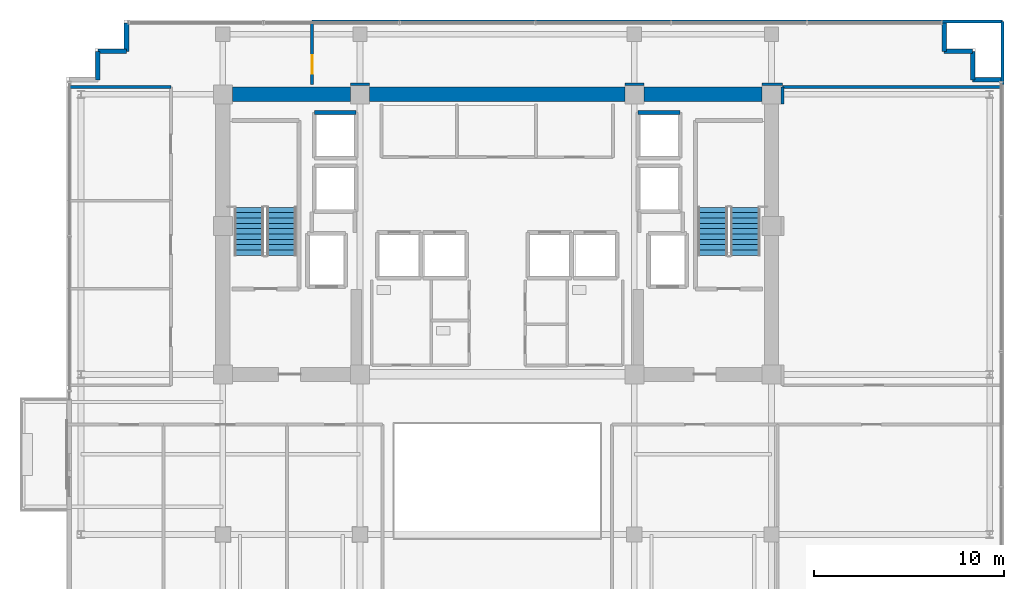
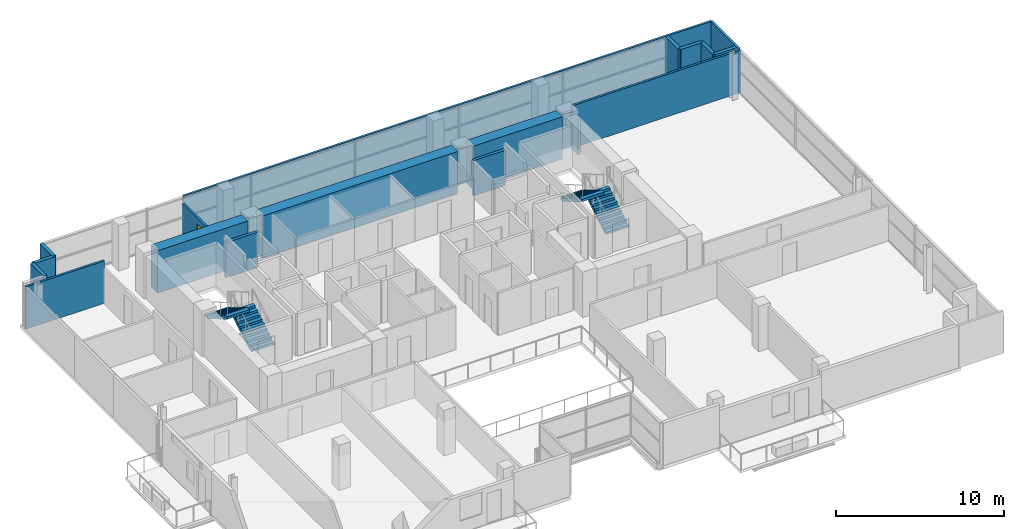
# One storey, part 18 of 22: 21 walls, 4 stair flights, 1 door, 1 opening, 2 elements without a shape of their own.
"""IFC4 building model written with IfcOpenShell, lengths in metres."""

from ifc_helpers import new_model, si_unit, direction, frame, frame_2d, origin, place, context, subcontext, project, spatial, polyline, rectangle, outline, extrude, source, transform, mapped, material, layer, layer_set, type_object, element, fill, aggregate, save


model = new_model("IFC4")

# Units and contexts
model_context = context("Model", 3, precision=1e-05, world=origin(), true_north=direction((0.0, 1.0)))
body_context = subcontext(model_context, "Body", "Model", "MODEL_VIEW")
ifc_project = project(units=[si_unit("LENGTHUNIT", "METRE"), si_unit("AREAUNIT", "SQUARE_METRE"), si_unit("VOLUMEUNIT", "CUBIC_METRE"), si_unit("PLANEANGLEUNIT", "RADIAN"), si_unit("MASSUNIT", "GRAM", prefix="KILO")], contexts=[model_context])

# Site, building, storey
site_placement = place(None, origin())
site = spatial("IfcSite", under=ifc_project, at=site_placement, CompositionType="ELEMENT")
building_placement = place(site_placement, origin())
building = spatial("IfcBuilding", under=site, at=building_placement, Name="Zarnakvel Exchange Tower", CompositionType="ELEMENT")
storey_placement = place(building_placement, frame((0.0, 0.0, 179.199951171875)))
storey = spatial("IfcBuildingStorey", under=building, at=storey_placement, Name="L50", CompositionType="ELEMENT", Elevation=179.199951171875)

# Walls
ifc_material_1 = material(Name="Concrete C60/75", Category="concrete")
ifc_layer_1 = layer(ifc_material_1, 0.75)
ifc_layer_set_1 = layer_set([ifc_layer_1], Name="Concrete C60/75")
wall_type_1 = type_object("IfcWallType", Name="CW-C3", PredefinedType="SHEAR", material=ifc_layer_set_1)
wall_1_placement = place(storey_placement, frame((-13.89990234375, 13.5, 0.0), z_axis=(0.0, 0.0, 1.0), x_axis=(1.0, 0.0, 0.0)))
element("IfcWall", 1, at=wall_1_placement, inside=storey, type_object=wall_type_1, Name="L50 Rear Core Shear Wall N1 (CW-C3)", PredefinedType="SHEAR", context=body_context, shape_type="SweptSolid", body=[
    extrude(rectangle(XDim=6.199951171875, YDim=0.75, at=frame_2d((3.10009765625, 0.0))), origin(), (0.0, 0.0, 1.0), 3.074951171875),
])
wall_2_placement = place(storey_placement, frame((-6.699951171875, 13.5, 0.0), z_axis=(0.0, 0.0, 1.0), x_axis=(1.0, 0.0, 0.0)))
element("IfcWall", 2, at=wall_2_placement, inside=storey, type_object=wall_type_1, Name="L50 Rear Core Shear Wall N2 (CW-C3)", PredefinedType="SHEAR", context=body_context, shape_type="SweptSolid", body=[
    extrude(rectangle(XDim=13.39990234375, YDim=0.75, at=frame_2d((6.699951171875, 0.0))), origin(), (0.0, 0.0, 1.0), 3.074951171875),
])
wall_3_placement = place(storey_placement, frame((7.699951171875, 13.5, 0.0), z_axis=(0.0, 0.0, 1.0), x_axis=(1.0, 0.0, 0.0)))
element("IfcWall", 3, at=wall_3_placement, inside=storey, type_object=wall_type_1, Name="L50 Rear Core Shear Wall N3 (CW-C3)", PredefinedType="SHEAR", context=body_context, shape_type="SweptSolid", body=[
    extrude(rectangle(XDim=6.199951171875, YDim=0.75, at=frame_2d((3.10009765625, 0.0))), origin(), (0.0, 0.0, 1.0), 3.074951171875),
])
ifc_material_2 = material(Name="Precast concrete C40/50", Category="concrete")
ifc_layer_2 = layer(ifc_material_2, 0.239990234375)
ifc_layer_set_2 = layer_set([ifc_layer_2], Name="Precast concrete C40/50")
wall_type_2 = type_object("IfcWallType", Name="EW-02", PredefinedType="SOLIDWALL", material=ifc_layer_set_2)
for number, where, z_axis, x_axis, name in (
    (4, (-20.9599609375, 15.760009765625, 0.0), (0.0, 0.0, 1.0), (0.0, -1.0, 0.0), "L50 Exterior Precast Spandrel Wall EWC-L50-04 (EW-02)"),
    (5, (-19.4599609375, 15.760009765625, 0.0), (0.0, 0.0, 1.0), (-1.0, 0.0, 0.0), "L50 Exterior Precast Spandrel Wall EWC-L50-05 (EW-02)"),
    (6, (-19.4599609375, 17.260009765625, 0.0), (0.0, 0.0, 1.0), (0.0, -1.0, 0.0), "L50 Exterior Precast Spandrel Wall EWC-L50-06 (EW-02)"),
    (7, (23.4599609375, 15.760009765625, 0.0), (0.0, 0.0, 1.0), (0.0, 1.0, 0.0), "L50 Exterior Precast Spandrel Wall EWC-L50-07 (EW-02)"),
    (8, (24.9599609375, 15.760009765625, 0.0), (0.0, 0.0, 1.0), (-1.0, 0.0, 0.0), "L50 Exterior Precast Spandrel Wall EWC-L50-08 (EW-02)"),
    (9, (24.9599609375, 14.260009765625, 0.0), (0.0, 0.0, 1.0), (0.0, 1.0, 0.0), "L50 Exterior Precast Spandrel Wall EWC-L50-09 (EW-02)"),
    (10, (26.4599609375, 14.260009765625, 0.0), (0.0, 0.0, 1.0), (-1.0, 0.0, 0.0), "L50 Exterior Precast Spandrel Wall EWC-L50-10 (EW-02)"),
):
    element("IfcWall", number, at=place(storey_placement, frame(where, z_axis=z_axis, x_axis=x_axis)), inside=storey, type_object=wall_type_2, Name=name, PredefinedType="SOLIDWALL", context=body_context, shape_type="SweptSolid", body=[
        extrude(rectangle(XDim=1.5, YDim=0.239990234375, at=frame_2d((0.75, 0.0))), origin(), (0.0, 0.0, 1.0), 3.074951171875),
    ])
ifc_material_3 = material(Name="Fire-Rated Gypsum Stud Partition", Category="gypsum")
ifc_layer_3 = layer(ifc_material_3, 0.14990234375)
ifc_layer_set_3 = layer_set([ifc_layer_3], Name="Fire-Rated Gypsum Stud Partition")
wall_type_3 = type_object("IfcWallType", Name="PT-01", PredefinedType="PARTITIONING", material=ifc_layer_set_3)
wall_4_placement = place(storey_placement, frame((-22.530029296875, 13.8798828125, 0.0), z_axis=(0.0, 0.0, 1.0), x_axis=(1.0, 0.0, 0.0)))
element("IfcWall", 11, at=wall_4_placement, inside=storey, type_object=wall_type_3, Name="L50 Partition Wall PWALL-L50-058 (PT-01)", PredefinedType="PARTITIONING", context=body_context, shape_type="SweptSolid", body=[
    extrude(rectangle(XDim=5.400146484375, YDim=0.14990234375, at=frame_2d((2.7001953125, 0.0))), origin(), (0.0, 0.0, 1.0), 3.074951171875),
])
wall_5_placement = place(storey_placement, frame((14.969970703125, 13.8798828125, 0.0), z_axis=(0.0, 0.0, 1.0), x_axis=(1.0, 0.0, 0.0)))
element("IfcWall", 12, at=wall_5_placement, inside=storey, type_object=wall_type_3, Name="L50 Partition Wall PWALL-L50-062 (PT-01)", PredefinedType="PARTITIONING", context=body_context, shape_type="SweptSolid", body=[
    extrude(rectangle(XDim=11.56005859375, YDim=0.14990234375, at=frame_2d((5.780029296875, 0.0))), origin(), (0.0, 0.0, 1.0), 3.074951171875),
])
wall_6_placement = place(storey_placement, frame((14.969970703125, 13.0, 0.0), z_axis=(0.0, 0.0, 1.0), x_axis=(0.0, 1.0, 0.0)))
element("IfcWall", 13, at=wall_6_placement, inside=storey, type_object=wall_type_3, Name="L50 Partition Wall PWALL-L50-065 (PT-01)", PredefinedType="PARTITIONING", context=body_context, shape_type="SweptSolid", body=[
    extrude(rectangle(XDim=0.8798828125, YDim=0.14990234375, at=frame_2d((0.43994140625, 0.0))), origin(), (0.0, 0.0, 1.0), 2.56494140625),
])
for number, where, z_axis, x_axis, name in (
    (14, (-6.699951171875, 14.030029296875, 0.0), (0.0, 0.0, 1.0), (-1.0, 0.0, 0.0), "L50 Partition Wall PWALL-L50-067 (PT-01)"),
    (15, (7.699951171875, 14.030029296875, 0.0), (0.0, 0.0, 1.0), (-1.0, 0.0, 0.0), "L50 Partition Wall PWALL-L50-068 (PT-01)"),
):
    element("IfcWall", number, at=place(storey_placement, frame(where, z_axis=z_axis, x_axis=x_axis)), inside=storey, type_object=wall_type_3, Name=name, PredefinedType="PARTITIONING", context=body_context, shape_type="SweptSolid", body=[
        extrude(rectangle(XDim=1.0, YDim=0.14990234375, at=frame_2d((0.5, 0.0))), origin(), (0.0, 0.0, 1.0), 2.56494140625),
    ])
wall_7_placement = place(storey_placement, frame((14.969970703125, 14.030029296875, 0.0), z_axis=(0.0, 0.0, 1.0), x_axis=(-1.0, 0.0, 0.0)))
element("IfcWall", 16, at=wall_7_placement, inside=storey, type_object=wall_type_3, Name="L50 Partition Wall PWALL-L50-069 (PT-01)", PredefinedType="PARTITIONING", context=body_context, shape_type="SweptSolid", body=[
    extrude(rectangle(XDim=1.070068359375, YDim=0.14990234375, at=frame_2d((0.53515625, 0.0))), origin(), (0.0, 0.0, 1.0), 2.56494140625),
])
wall_8_placement = place(storey_placement, frame((-9.719970703125, 17.330078125, 0.0), z_axis=(0.0, 0.0, 1.0), x_axis=(1.0, 0.0, 0.0)))
element("IfcWall", 17, at=wall_8_placement, inside=storey, type_object=wall_type_3, Name="L50 Partition Wall PWALL-L50-070 (PT-01)", PredefinedType="PARTITIONING", context=body_context, shape_type="SweptSolid", body=[
    extrude(rectangle(XDim=36.25, YDim=0.14990234375, at=frame_2d((18.125, 0.0))), origin(), (0.0, 0.0, 1.0), 3.074951171875),
])

# Wall, opening, door
wall_9_placement = place(storey_placement, frame((-9.719970703125, 14.030029296875, 0.0), z_axis=(0.0, 0.0, 1.0), x_axis=(0.0, 1.0, 0.0)))
wall_9 = element("IfcWall", 18, at=wall_9_placement, inside=storey, type_object=wall_type_3, Name="L50 Partition Wall PWALL-L50-071 (PT-01)", PredefinedType="PARTITIONING", context=body_context, shape_type="SweptSolid", body=[
    extrude(rectangle(XDim=3.300048828125, YDim=0.14990234375, at=frame_2d((1.64990234375, 0.0))), origin(), (0.0, 0.0, 1.0), 2.56494140625),
])
opening_placement = place(wall_9_placement, frame((0.550048828125, 0.0, 0.0)))
opening = element("IfcOpeningElement", 19, at=opening_placement, cuts=wall_9, Name="Opening D-L50-23", PredefinedType="OPENING", context=body_context, shape_type="SweptSolid", body=[
    extrude(rectangle(XDim=0.97998046875, YDim=2.14990234375, at=frame_2d((0.489990234375, 1.074951171875))), frame((0.0, 0.0849609375, 0.0), z_axis=(0.0, -1.0, 0.0), x_axis=(1.0, 0.0, 0.0)), (0.0, 0.0, 1.0), 0.169921875),
])
ifc_material_4 = material(Name="Timber Acoustic Veneer", Category="wood")
door_type = type_object("IfcDoorType", Name="DT-05", OperationType="NOTDEFINED", PredefinedType="DOOR", material=ifc_material_4)
shared_shape = source(origin(), body_context, "Body", "SweptSolid", [
    extrude(rectangle(XDim=0.97998046875, YDim=2.14990234375, at=frame_2d((0.489990234375, 1.074951171875))), frame((0.0, 0.02490234375, 0.0), z_axis=(0.0, -1.0, 0.0), x_axis=(1.0, 0.0, 0.0)), (0.0, 0.0, 1.0), 0.050048828125),
])
door_placement = place(opening_placement, origin())
door = element("IfcDoor", 20, at=door_placement, inside=storey, type_object=door_type, Name="L50 Fintech Workspace Door D-L50-23", OperationType="SINGLE_SWING_RIGHT", OverallHeight=2.14990234375, OverallWidth=0.97998046875, PredefinedType="DOOR", context=body_context, shape_type="MappedRepresentation", body=[
    mapped(shared_shape, transform((0.0, 0.0, 0.0), x_axis=(1.0, 0.0, 0.0), y_axis=(0.0, 1.0, 0.0), z_axis=(0.0, 0.0, 1.0), scale=1.0)),
])
fill(opening, door)

# Walls
wall_10_placement = place(storey_placement, frame((26.530029296875, 17.330078125, 0.0), z_axis=(0.0, 0.0, 1.0), x_axis=(0.0, -1.0, 0.0)))
element("IfcWall", 21, at=wall_10_placement, inside=storey, type_object=wall_type_3, Name="L50 Partition Wall PWALL-L50-072 (PT-01)", PredefinedType="PARTITIONING", context=body_context, shape_type="SweptSolid", body=[
    extrude(rectangle(XDim=3.300048828125, YDim=0.14990234375, at=frame_2d((1.64990234375, 0.0))), origin(), (0.0, 0.0, 1.0), 3.074951171875),
])
ifc_material_5 = material(Name="Concrete C40/50", Category="concrete")
ifc_layer_4 = layer(ifc_material_5, 0.199951171875)
ifc_layer_set_4 = layer_set([ifc_layer_4], Name="Concrete C40/50")
wall_type_4 = type_object("IfcWallType", Name="SW-01", PredefinedType="SOLIDWALL", material=ifc_layer_set_4)
for number, where, z_axis, x_axis, name in (
    (22, (-9.60009765625, 12.550048828125, 0.0), (0.0, 0.0, 1.0), (1.0, 0.0, 0.0), "L50 PL-10 Hoistway Wall North"),
    (23, (7.39990234375, 12.550048828125, 0.0), (0.0, 0.0, 1.0), (1.0, 0.0, 0.0), "L50 PL-12 Hoistway Wall North"),
):
    element("IfcWall", number, at=place(storey_placement, frame(where, z_axis=z_axis, x_axis=x_axis)), inside=storey, type_object=wall_type_4, Name=name, PredefinedType="SOLIDWALL", context=body_context, shape_type="SweptSolid", body=[
        extrude(rectangle(XDim=2.2001953125, YDim=0.199951171875, at=frame_2d((1.10009765625, 0.0))), origin(), (0.0, 0.0, 1.0), 2.56494140625),
    ])

# Stair, stair flights
stair_type = type_object("IfcStairType", Name="STR-01", PredefinedType="HALF_TURN_STAIR", material=ifc_material_5)
stair_1_placement = place(storey_placement, origin())
stair_1 = element("IfcStair", 24, at=stair_1_placement, inside=storey, type_object=stair_type, Name="L50 Protected Core Exit Stair ST-01", PredefinedType="HALF_TURN_STAIR")
stair_flight_type = type_object("IfcStairFlightType", Name="FLT-01", PredefinedType="STRAIGHT", material=ifc_material_5)
stair_flight_1_placement = place(storey_placement, frame((-11.31494140625, 5.050048828125, 0.0), z_axis=(0.0, 0.0, 1.0), x_axis=(0.0, 1.0, 0.0)))
stair_flight_1 = element("IfcStairFlight", 25, at=stair_flight_1_placement, type_object=stair_flight_type, Name="ST-01 flight 1", NumberOfRisers=10, NumberOfTreads=9, PredefinedType="STRAIGHT", RiserHeight=0.165, TreadLength=0.28, context=body_context, shape_type="SweptSolid", body=[
    extrude(outline(polyline([(0.0, 0.0), (0.0, 0.1650390625), (0.280029296875, 0.1650390625), (0.280029296875, 0.330078125), (0.56005859375, 0.330078125), (0.56005859375, 0.4951171875), (0.840087890625, 0.4951171875), (0.840087890625, 0.659912109375), (1.1201171875, 0.659912109375), (1.1201171875, 0.824951171875), (1.39990234375, 0.824951171875), (1.39990234375, 0.989990234375), (1.679931640625, 0.989990234375), (1.679931640625, 1.155029296875), (1.9599609375, 1.155029296875), (1.9599609375, 1.320068359375), (2.239990234375, 1.320068359375), (2.239990234375, 1.485107421875), (2.52001953125, 1.485107421875), (2.52001953125, 1.64990234375), (2.52001953125, 1.31103515625), (0.295166015625, 0.0), (0.0, 0.0)])), frame((0.0, 0.77490234375, 0.0), z_axis=(0.0, -1.0, 0.0), x_axis=(1.0, 0.0, 0.0)), (0.0, 0.0, 1.0), 1.550048828125),
])
stair_flight_2_placement = place(storey_placement, frame((-13.02490234375, 7.570068359375, 1.650146484375), z_axis=(0.0, 0.0, 1.0), x_axis=(0.0, -1.0, 0.0)))
stair_flight_2 = element("IfcStairFlight", 26, at=stair_flight_2_placement, type_object=stair_flight_type, Name="ST-01 flight 2", NumberOfRisers=10, NumberOfTreads=9, PredefinedType="STRAIGHT", RiserHeight=0.165, TreadLength=0.28, context=body_context, shape_type="SweptSolid", body=[
    extrude(outline(polyline([(0.0, 0.0), (0.0, 0.1650390625), (0.280029296875, 0.1650390625), (0.280029296875, 0.330078125), (0.56005859375, 0.330078125), (0.56005859375, 0.4951171875), (0.840087890625, 0.4951171875), (0.840087890625, 0.659912109375), (1.1201171875, 0.659912109375), (1.1201171875, 0.824951171875), (1.39990234375, 0.824951171875), (1.39990234375, 0.989990234375), (1.679931640625, 0.989990234375), (1.679931640625, 1.155029296875), (1.9599609375, 1.155029296875), (1.9599609375, 1.320068359375), (2.239990234375, 1.320068359375), (2.239990234375, 1.485107421875), (2.52001953125, 1.485107421875), (2.52001953125, 1.64990234375), (2.52001953125, 1.31103515625), (0.295166015625, 0.0), (0.0, 0.0)])), frame((0.0, 0.77490234375, 0.0), z_axis=(0.0, -1.0, 0.0), x_axis=(1.0, 0.0, 0.0)), (0.0, 0.0, 1.0), 1.550048828125),
])
aggregate(stair_1, [stair_flight_1, stair_flight_2])

stair_2_placement = place(storey_placement, origin())
stair_2 = element("IfcStair", 27, at=stair_2_placement, inside=storey, type_object=stair_type, Name="L50 Protected Core Exit Stair ST-02", PredefinedType="HALF_TURN_STAIR")
stair_flight_3_placement = place(storey_placement, frame((13.02490234375, 5.050048828125, 0.0), z_axis=(0.0, 0.0, 1.0), x_axis=(0.0, 1.0, 0.0)))
stair_flight_3 = element("IfcStairFlight", 28, at=stair_flight_3_placement, type_object=stair_flight_type, Name="ST-02 flight 1", NumberOfRisers=10, NumberOfTreads=9, PredefinedType="STRAIGHT", RiserHeight=0.165, TreadLength=0.28, context=body_context, shape_type="SweptSolid", body=[
    extrude(outline(polyline([(0.0, 0.0), (0.0, 0.1650390625), (0.280029296875, 0.1650390625), (0.280029296875, 0.330078125), (0.56005859375, 0.330078125), (0.56005859375, 0.4951171875), (0.840087890625, 0.4951171875), (0.840087890625, 0.659912109375), (1.1201171875, 0.659912109375), (1.1201171875, 0.824951171875), (1.39990234375, 0.824951171875), (1.39990234375, 0.989990234375), (1.679931640625, 0.989990234375), (1.679931640625, 1.155029296875), (1.9599609375, 1.155029296875), (1.9599609375, 1.320068359375), (2.239990234375, 1.320068359375), (2.239990234375, 1.485107421875), (2.52001953125, 1.485107421875), (2.52001953125, 1.64990234375), (2.52001953125, 1.31103515625), (0.295166015625, 0.0), (0.0, 0.0)])), frame((0.0, 0.77490234375, 0.0), z_axis=(0.0, -1.0, 0.0), x_axis=(1.0, 0.0, 0.0)), (0.0, 0.0, 1.0), 1.550048828125),
])
stair_flight_4_placement = place(storey_placement, frame((11.31494140625, 7.570068359375, 1.650146484375), z_axis=(0.0, 0.0, 1.0), x_axis=(0.0, -1.0, 0.0)))
stair_flight_4 = element("IfcStairFlight", 29, at=stair_flight_4_placement, type_object=stair_flight_type, Name="ST-02 flight 2", NumberOfRisers=10, NumberOfTreads=9, PredefinedType="STRAIGHT", RiserHeight=0.165, TreadLength=0.28, context=body_context, shape_type="SweptSolid", body=[
    extrude(outline(polyline([(0.0, 0.0), (0.0, 0.1650390625), (0.280029296875, 0.1650390625), (0.280029296875, 0.330078125), (0.56005859375, 0.330078125), (0.56005859375, 0.4951171875), (0.840087890625, 0.4951171875), (0.840087890625, 0.659912109375), (1.1201171875, 0.659912109375), (1.1201171875, 0.824951171875), (1.39990234375, 0.824951171875), (1.39990234375, 0.989990234375), (1.679931640625, 0.989990234375), (1.679931640625, 1.155029296875), (1.9599609375, 1.155029296875), (1.9599609375, 1.320068359375), (2.239990234375, 1.320068359375), (2.239990234375, 1.485107421875), (2.52001953125, 1.485107421875), (2.52001953125, 1.64990234375), (2.52001953125, 1.31103515625), (0.295166015625, 0.0), (0.0, 0.0)])), frame((0.0, 0.77490234375, 0.0), z_axis=(0.0, -1.0, 0.0), x_axis=(1.0, 0.0, 0.0)), (0.0, 0.0, 1.0), 1.550048828125),
])
aggregate(stair_2, [stair_flight_3, stair_flight_4])

save(model, "model.ifc")
